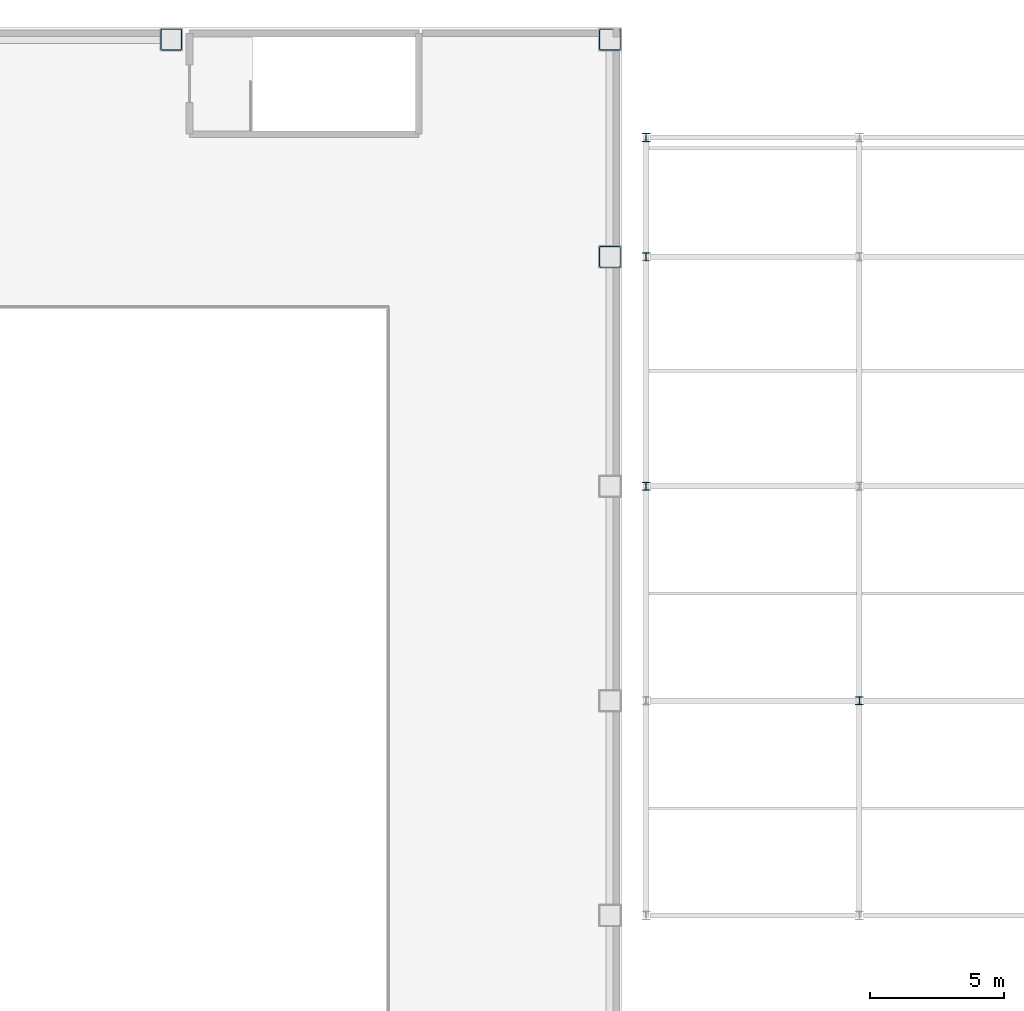
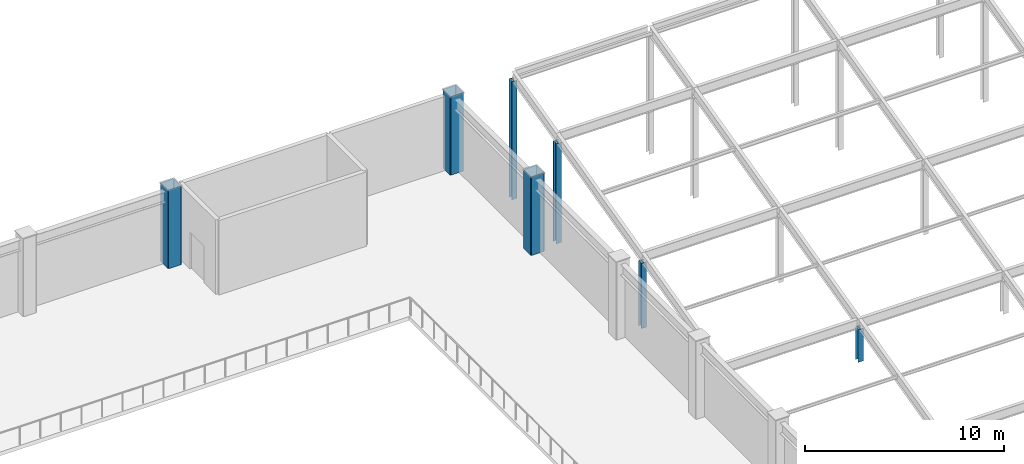
# One storey, part 11 of 93: 7 columns.
"""IFC4 building model written with IfcOpenShell, lengths in metres."""

from ifc_helpers import new_model, si_unit, direction, frame, origin, origin_2d, place, context, subcontext, project, spatial, hollow_rectangle, i_section, extrude, material, material_profile, profile_set, type_object, element, save


model = new_model("IFC4")

# Units and contexts
model_context = context("Model", 3, precision=1e-05, world=origin(), true_north=direction((0.0, 1.0)))
body_context = subcontext(model_context, "Body", "Model", "MODEL_VIEW")
ifc_project = project(units=[si_unit("LENGTHUNIT", "METRE"), si_unit("AREAUNIT", "SQUARE_METRE"), si_unit("VOLUMEUNIT", "CUBIC_METRE"), si_unit("PLANEANGLEUNIT", "RADIAN"), si_unit("MASSUNIT", "GRAM", prefix="KILO")], contexts=[model_context])

# Site, building, storey
site_placement = place(None, origin())
site = spatial("IfcSite", under=ifc_project, at=site_placement, CompositionType="ELEMENT")
building_placement = place(site_placement, origin())
building = spatial("IfcBuilding", under=site, at=building_placement, Name="Kazehara Bluff Congress Hotel", CompositionType="ELEMENT")
storey_placement = place(building_placement, frame((0.0, 0.0, 15.0)))
storey = spatial("IfcBuildingStorey", under=building, at=storey_placement, Name="L03", CompositionType="ELEMENT", Elevation=15.0)

# Columns
ifc_material_1 = material(Name="Steel BCR295", Category="steel")
ifc_material_profile_1 = material_profile(ifc_material_1, hollow_rectangle(XDim=0.800048828125, YDim=0.800048828125, WallThickness=0.031982421875, InnerFilletRadius=0.031982421875, OuterFilletRadius=0.06396484375, at=origin_2d()))
ifc_profile_set_1 = profile_set([ifc_material_profile_1], Name="Steel BCR295")
column_type_1 = type_object("IfcColumnType", Name="TP-C-02", PredefinedType="COLUMN", material=ifc_profile_set_1)
for number, where, z_axis, x_axis, name in (
    (1, (42.0, 113.550048828125, 0.0), (0.0, 0.0, 1.0), (1.0, 0.0, 0.0), "L03 column C-02 (42.00,113.55)"),
    (2, (58.35009765625, 105.449951171875, 0.0), (0.0, 0.0, 1.0), (1.0, 0.0, 0.0), "L03 column C-02 (58.35,105.45)"),
    (3, (58.35009765625, 113.550048828125, 0.0), (0.0, 0.0, 1.0), (1.0, 0.0, 0.0), "L03 column C-02 (58.35,113.55)"),
):
    element("IfcColumn", number, at=place(storey_placement, frame(where, z_axis=z_axis, x_axis=x_axis)), inside=storey, type_object=column_type_1, Name=name, PredefinedType="COLUMN", context=body_context, shape_type="SweptSolid", body=[
        extrude(hollow_rectangle(XDim=0.800048828125, YDim=0.800048828125, WallThickness=0.031982421875, InnerFilletRadius=0.031982421875, OuterFilletRadius=0.06396484375, at=origin_2d()), origin(), (0.0, 0.0, 1.0), 4.800048828125),
    ])
ifc_material_2 = material(Name="Steel SN400B", Category="steel")
ifc_material_profile_2 = material_profile(ifc_material_2, i_section(OverallWidth=0.300048828125, OverallDepth=0.300048828125, WebThickness=0.010009765625, FlangeThickness=0.014892578125, FilletRadius=0.012939453125, at=origin_2d()))
ifc_profile_set_2 = profile_set([ifc_material_profile_2], Name="Steel SN400B")
column_type_2 = type_object("IfcColumnType", Name="TP-C-11", PredefinedType="COLUMN", material=ifc_profile_set_2)
column_1_placement = place(storey_placement, frame((59.699951171875, 96.89990234375, 0.0), z_axis=(0.0, 0.0, 1.0), x_axis=(1.0, 0.0, 0.0)))
element("IfcColumn", 4, at=column_1_placement, inside=storey, type_object=column_type_2, Name="Spa clerestory roof post (59.70,96.90)", PredefinedType="COLUMN", context=body_context, shape_type="SweptSolid", body=[
    extrude(i_section(OverallWidth=0.300048828125, OverallDepth=0.300048828125, WebThickness=0.010009765625, FlangeThickness=0.014892578125, FilletRadius=0.012939453125, at=origin_2d()), origin(), (0.0, 0.0, 1.0), 4.0048828125),
])
column_2_placement = place(storey_placement, frame((59.699951171875, 105.449951171875, 0.0), z_axis=(0.0, 0.0, 1.0), x_axis=(1.0, 0.0, 0.0)))
element("IfcColumn", 5, at=column_2_placement, inside=storey, type_object=column_type_2, Name="Spa clerestory roof post (59.70,105.45)", PredefinedType="COLUMN", context=body_context, shape_type="SweptSolid", body=[
    extrude(i_section(OverallWidth=0.300048828125, OverallDepth=0.300048828125, WebThickness=0.010009765625, FlangeThickness=0.014892578125, FilletRadius=0.012939453125, at=origin_2d()), origin(), (0.0, 0.0, 1.0), 6.139892578125),
])
column_3_placement = place(storey_placement, frame((59.699951171875, 109.89990234375, 0.0), z_axis=(0.0, 0.0, 1.0), x_axis=(1.0, 0.0, 0.0)))
element("IfcColumn", 6, at=column_3_placement, inside=storey, type_object=column_type_2, Name="Spa clerestory roof post (59.70,109.90)", PredefinedType="COLUMN", context=body_context, shape_type="SweptSolid", body=[
    extrude(i_section(OverallWidth=0.300048828125, OverallDepth=0.300048828125, WebThickness=0.010009765625, FlangeThickness=0.014892578125, FilletRadius=0.012939453125, at=origin_2d()), origin(), (0.0, 0.0, 1.0), 7.2451171875),
])
column_4_placement = place(storey_placement, frame((67.64990234375, 88.89990234375, 0.0), z_axis=(0.0, 0.0, 1.0), x_axis=(1.0, 0.0, 0.0)))
element("IfcColumn", 7, at=column_4_placement, inside=storey, type_object=column_type_2, Name="Spa clerestory roof post (67.65,88.90)", PredefinedType="COLUMN", context=body_context, shape_type="SweptSolid", body=[
    extrude(i_section(OverallWidth=0.300048828125, OverallDepth=0.300048828125, WebThickness=0.010009765625, FlangeThickness=0.014892578125, FilletRadius=0.012939453125, at=origin_2d()), origin(), (0.0, 0.0, 1.0), 2.010009765625),
])

save(model, "model.ifc")
